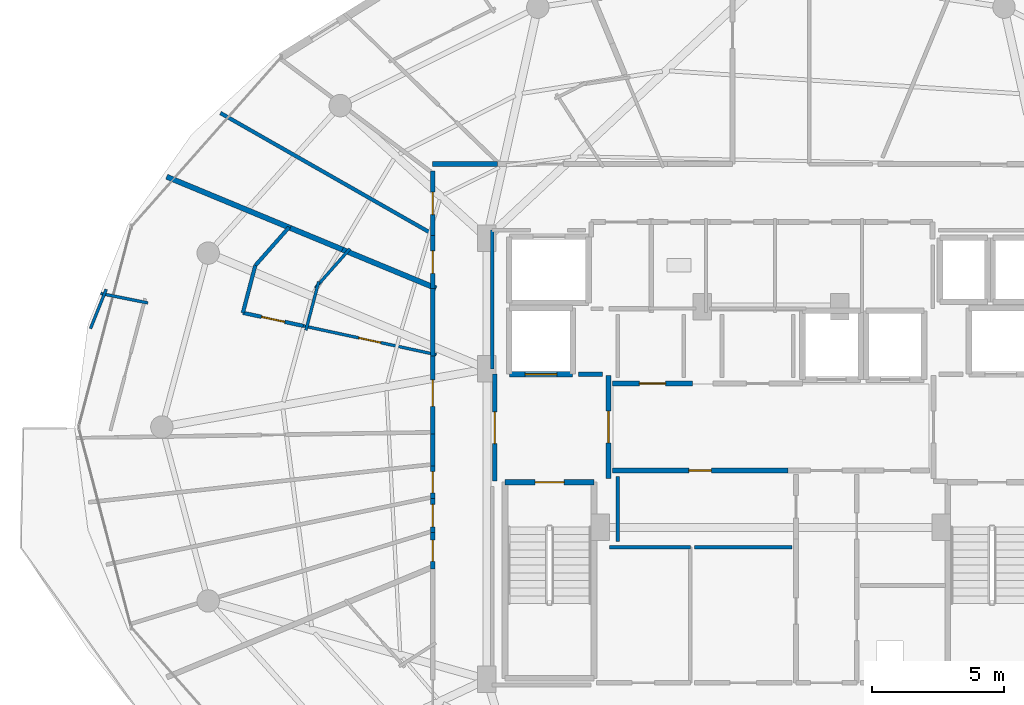
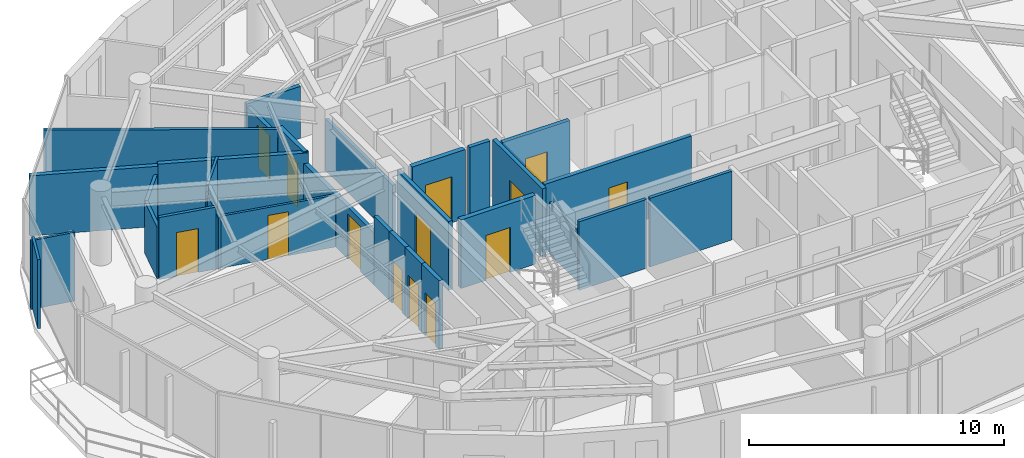
# One storey, part 24 of 31: 32 walls, 14 doors, 14 openings.
"""IFC4 building model written with IfcOpenShell, lengths in metres."""

from ifc_helpers import new_model, si_unit, direction, frame, frame_2d, origin, place, context, subcontext, project, spatial, rectangle, extrude, material, layer, layer_set, type_object, element, fill, save


model = new_model("IFC4")

# Units and contexts
model_context = context("Model", 3, precision=1e-05, world=origin(), true_north=direction((0.0, 1.0)))
body_context = subcontext(model_context, "Body", "Model", "MODEL_VIEW")
ifc_project = project(units=[si_unit("LENGTHUNIT", "METRE"), si_unit("AREAUNIT", "SQUARE_METRE"), si_unit("VOLUMEUNIT", "CUBIC_METRE"), si_unit("PLANEANGLEUNIT", "RADIAN"), si_unit("MASSUNIT", "GRAM", prefix="KILO")], contexts=[model_context])

# Site, building, storey
site_placement = place(None, origin())
site = spatial("IfcSite", under=ifc_project, at=site_placement, CompositionType="ELEMENT")
building_placement = place(site_placement, origin())
building = spatial("IfcBuilding", under=site, at=building_placement, Name="Vorneva Point Tower", CompositionType="ELEMENT")
storey_placement = place(building_placement, frame((0.0, 0.0, 244.89990234375)))
storey = spatial("IfcBuildingStorey", under=building, at=storey_placement, Name="L66", CompositionType="ELEMENT", Elevation=244.89990234375)

# Wall, opening, door
ifc_material_1 = material(Name="Concrete B60 (C50/60)", Category="concrete")
ifc_layer_1 = layer(ifc_material_1, 0.35009765625)
ifc_layer_set_1 = layer_set([ifc_layer_1], Name="Concrete B60 (C50/60)")
wall_type_1 = type_object("IfcWallType", Name="WL-CORE-350", PredefinedType="SHEAR", material=ifc_layer_set_1)
wall_1_placement = place(storey_placement, frame((28.10009765625, 28.0, 0.0), z_axis=(0.0, 0.0, 1.0), x_axis=(1.0, 0.0, 0.0)))
wall_1 = element("IfcWall", 1, at=wall_1_placement, inside=storey, type_object=wall_type_1, Name="L66 Lift FFL1 Shaft Wall -Y", PredefinedType="SHEAR", context=body_context, shape_type="SweptSolid", body=[
    extrude(rectangle(XDim=2.39990234375, YDim=0.219970703125, at=frame_2d((1.199951171875, 0.0))), origin(), (0.0, 0.0, 1.0), 3.2900390625),
])
opening_1_placement = place(wall_1_placement, frame((0.60009765625, 0.0, 0.0)))
opening_1 = element("IfcOpeningElement", 2, at=opening_1_placement, cuts=wall_1, Name="Opening LD-02", PredefinedType="OPENING", context=body_context, shape_type="SweptSolid", body=[
    extrude(rectangle(XDim=1.199951171875, YDim=2.199951171875, at=frame_2d((0.60009765625, 1.10009765625))), frame((0.0, 0.125, 0.0), z_axis=(0.0, -1.0, 0.0), x_axis=(1.0, 0.0, 0.0)), (0.0, 0.0, 1.0), 0.249755859375),
])
ifc_material_2 = material(Name="Brushed stainless steel S304", Category="steel")
door_type_1 = type_object("IfcDoorType", Name="LD-FIRE-1200", OperationType="SLIDING_TO_LEFT", PredefinedType="DOOR", material=ifc_material_2)
door_1_placement = place(opening_1_placement, origin())
door_1 = element("IfcDoor", 3, at=door_1_placement, inside=storey, type_object=door_type_1, Name="L66 Lift FFL1 Sliding Landing Door", OperationType="SLIDING_TO_LEFT", OverallHeight=2.199951171875, OverallWidth=1.199951171875, PredefinedType="DOOR", context=body_context, shape_type="SweptSolid", body=[
    extrude(rectangle(XDim=1.199951171875, YDim=2.199951171875, at=frame_2d((0.60009765625, 1.10009765625))), frame((0.0, 0.02490234375, 0.0), z_axis=(0.0, -1.0, 0.0), x_axis=(1.0, 0.0, 0.0)), (0.0, 0.0, 1.0), 0.050048828125),
])
fill(opening_1, door_1)

ifc_material_3 = material(Name="Fire-rated acoustic gypsum stud partition", Category="gypsum")
ifc_layer_2 = layer(ifc_material_3, 0.110107421875)
ifc_layer_set_2 = layer_set([ifc_layer_2], Name="Fire-rated acoustic gypsum stud partition")
wall_type_2 = type_object("IfcWallType", Name="WL-PART-110", PredefinedType="PARTITIONING", material=ifc_layer_set_2)
wall_2_placement = place(storey_placement, frame((25.3369140625, 28.73828125, 0.0), z_axis=(0.0, 0.0, 1.0), x_axis=(-0.977382932841, 0.211477191656, 0.0)))
wall_2 = element("IfcWall", 4, at=wall_2_placement, inside=storey, type_object=wall_type_2, Name="L66 Interior Partition 086", PredefinedType="PARTITIONING", context=body_context, shape_type="SweptSolid", body=[
    extrude(rectangle(XDim=5.151123046875, YDim=0.110107421875, at=frame_2d((2.57568359375, 0.0))), origin(), (0.0, 0.0, 1.0), 2.482177734375),
])
opening_2_placement = place(wall_2_placement, frame((2.150390625, 0.0, 0.0)))
opening_2 = element("IfcOpeningElement", 5, at=opening_2_placement, cuts=wall_2, Name="Opening ID-02", PredefinedType="OPENING", context=body_context, shape_type="SweptSolid", body=[
    extrude(rectangle(XDim=0.85009765625, YDim=2.10009765625, at=frame_2d((0.425048828125, 1.050048828125))), frame((0.0, 0.06982421875, 0.0), z_axis=(0.0, -1.0, 0.0), x_axis=(1.0, 0.0, 0.0)), (0.0, 0.0, 1.0), 0.139892578125),
])
ifc_material_4 = material(Name="Engineered oak fire-rated door leaf", Category="wood")
door_type_2 = type_object("IfcDoorType", Name="DR-BATH-850", OperationType="NOTDEFINED", PredefinedType="DOOR", material=ifc_material_4)
door_2_placement = place(opening_2_placement, origin())
door_2 = element("IfcDoor", 6, at=door_2_placement, inside=storey, type_object=door_type_2, Name="L66 Door Living and Dining Room L66-02 / Bathroom L66-02", OperationType="SINGLE_SWING_RIGHT", OverallHeight=2.10009765625, OverallWidth=0.85009765625, PredefinedType="DOOR", context=body_context, shape_type="SweptSolid", body=[
    extrude(rectangle(XDim=0.85009765625, YDim=2.10009765625, at=frame_2d((0.425048828125, 1.050048828125))), frame((0.0, 0.02490234375, 0.0), z_axis=(0.0, -1.0, 0.0), x_axis=(1.0, 0.0, 0.0)), (0.0, 0.0, 1.0), 0.050048828125),
])
fill(opening_2, door_2)

# Walls
wall_3_placement = place(storey_placement, frame((12.845947265625, 31.212890625, 0.0), z_axis=(0.0, 0.0, 1.0), x_axis=(-0.371522095559, -0.928424112414, 0.0)))
element("IfcWall", 7, at=wall_3_placement, inside=storey, type_object=wall_type_2, Name="L66 Interior Partition 087", PredefinedType="PARTITIONING", context=body_context, shape_type="SweptSolid", body=[
    extrude(rectangle(XDim=1.6015625, YDim=0.110107421875, at=frame_2d((0.80078125, 0.0))), origin(), (0.0, 0.0, 1.0), 3.2900390625),
])
wall_4_placement = place(storey_placement, frame((12.634765625, 31.053466796875, 0.0), z_axis=(0.0, 0.0, 1.0), x_axis=(0.980704252003, -0.195497238094, 0.0)))
element("IfcWall", 8, at=wall_4_placement, inside=storey, type_object=wall_type_2, Name="L66 Interior Partition 088", PredefinedType="PARTITIONING", context=body_context, shape_type="SweptSolid", body=[
    extrude(rectangle(XDim=1.82080078125, YDim=0.110107421875, at=frame_2d((0.910400390625, 0.0))), origin(), (0.0, 0.0, 1.0), 3.2900390625),
])
wall_5_placement = place(storey_placement, frame((22.065673828125, 32.743896484375, 0.0), z_axis=(0.0, 0.0, 1.0), x_axis=(-0.662047420969, -0.749461948593, 0.0)))
element("IfcWall", 9, at=wall_5_placement, inside=storey, type_object=wall_type_2, Name="L66 Interior Partition 094", PredefinedType="PARTITIONING", context=body_context, shape_type="SweptSolid", body=[
    extrude(rectangle(XDim=1.9716796875, YDim=0.110107421875, at=frame_2d((0.98583984375, 0.0))), origin(), (0.0, 0.0, 1.0), 2.97216796875),
])
wall_6_placement = place(storey_placement, frame((20.888671875, 31.50634765625, 0.0), z_axis=(0.0, 0.0, 1.0), x_axis=(-0.254568935897, -0.967054629727, 0.0)))
element("IfcWall", 10, at=wall_6_placement, inside=storey, type_object=wall_type_2, Name="L66 Interior Partition 095", PredefinedType="PARTITIONING", context=body_context, shape_type="SweptSolid", body=[
    extrude(rectangle(XDim=1.906494140625, YDim=0.110107421875, at=frame_2d((0.953125, 0.0))), origin(), (0.0, 0.0, 1.0), 2.482177734375),
])
ifc_layer_3 = layer(ifc_material_3, 0.139892578125)
ifc_layer_set_3 = layer_set([ifc_layer_3], Name="Fire-rated acoustic gypsum stud partition")
wall_type_3 = type_object("IfcWallType", Name="WL-PART-140", PredefinedType="PARTITIONING", material=ifc_layer_set_3)
wall_7_placement = place(storey_placement, frame((34.949951171875, 21.449951171875, 0.0), z_axis=(0.0, 0.0, 1.0), x_axis=(-1.0, 0.0, 0.0)))
element("IfcWall", 11, at=wall_7_placement, inside=storey, type_object=wall_type_3, Name="L66 Interior Partition 034", PredefinedType="PARTITIONING", context=body_context, shape_type="SweptSolid", body=[
    extrude(rectangle(XDim=3.054931640625, YDim=0.139892578125, at=frame_2d((1.52734375, 0.0))), origin(), (0.0, 0.0, 1.0), 3.2900390625),
])
wall_8_placement = place(storey_placement, frame((38.800048828125, 21.449951171875, 0.0), z_axis=(0.0, 0.0, 1.0), x_axis=(-1.0, 0.0, 0.0)))
element("IfcWall", 12, at=wall_8_placement, inside=storey, type_object=wall_type_3, Name="L66 Interior Partition 036", PredefinedType="PARTITIONING", context=body_context, shape_type="SweptSolid", body=[
    extrude(rectangle(XDim=3.699951171875, YDim=0.139892578125, at=frame_2d((1.85009765625, 0.0))), origin(), (0.0, 0.0, 1.0), 3.2900390625),
])
wall_9_placement = place(storey_placement, frame((17.169921875, 37.881103515625, 0.0), z_axis=(0.0, 0.0, 1.0), x_axis=(0.868639415668, -0.495444815844, 0.0)))
element("IfcWall", 13, at=wall_9_placement, inside=storey, type_object=wall_type_3, Name="L66 Interior Partition 082", PredefinedType="PARTITIONING", context=body_context, shape_type="SweptSolid", body=[
    extrude(rectangle(XDim=9.244384765625, YDim=0.139892578125, at=frame_2d((4.6220703125, 0.0))), origin(), (0.0, 0.0, 1.0), 2.8740234375),
])

# Wall, opening, door
wall_10_placement = place(storey_placement, frame((20.30224609375, 29.82763671875, 0.0), z_axis=(0.0, 0.0, 1.0), x_axis=(-0.977387924942, 0.211454118377, 0.0)))
wall_10 = element("IfcWall", 14, at=wall_10_placement, inside=storey, type_object=wall_type_3, Name="L66 Interior Partition 090", PredefinedType="PARTITIONING", context=body_context, shape_type="SweptSolid", body=[
    extrude(rectangle(XDim=2.338134765625, YDim=0.139892578125, at=frame_2d((1.1689453125, 0.0))), origin(), (0.0, 0.0, 1.0), 2.97216796875),
])
opening_3_placement = place(wall_10_placement, frame((0.718994140625, 0.0, 0.0)))
opening_3 = element("IfcOpeningElement", 15, at=opening_3_placement, cuts=wall_10, Name="Opening ID-01", PredefinedType="OPENING", context=body_context, shape_type="SweptSolid", body=[
    extrude(rectangle(XDim=0.89990234375, YDim=2.10009765625, at=frame_2d((0.449951171875, 1.050048828125))), frame((0.0, 0.0849609375, 0.0), z_axis=(0.0, -1.0, 0.0), x_axis=(1.0, 0.0, 0.0)), (0.0, 0.0, 1.0), 0.169677734375),
])
door_type_3 = type_object("IfcDoorType", Name="DR-ROOM-900", OperationType="NOTDEFINED", PredefinedType="DOOR", material=ifc_material_4)
door_3_placement = place(opening_3_placement, origin())
door_3 = element("IfcDoor", 16, at=door_3_placement, inside=storey, type_object=door_type_3, Name="L66 Door Living and Dining Room L66-02 / Study Room L66-02", OperationType="SINGLE_SWING_RIGHT", OverallHeight=2.10009765625, OverallWidth=0.89990234375, PredefinedType="DOOR", context=body_context, shape_type="SweptSolid", body=[
    extrude(rectangle(XDim=0.89990234375, YDim=2.10009765625, at=frame_2d((0.449951171875, 1.050048828125))), frame((0.0, 0.02490234375, 0.0), z_axis=(0.0, -1.0, 0.0), x_axis=(1.0, 0.0, 0.0)), (0.0, 0.0, 1.0), 0.050048828125),
])
fill(opening_3, door_3)

# Walls
wall_11_placement = place(storey_placement, frame((18.01708984375, 30.322021484375, 0.0), z_axis=(0.0, 0.0, 1.0), x_axis=(0.254434866485, 0.967089912426, 0.0)))
element("IfcWall", 17, at=wall_11_placement, inside=storey, type_object=wall_type_3, Name="L66 Interior Partition 091", PredefinedType="PARTITIONING", context=body_context, shape_type="SweptSolid", body=[
    extrude(rectangle(XDim=1.85107421875, YDim=0.139892578125, at=frame_2d((0.925537109375, 0.0))), origin(), (0.0, 0.0, 1.0), 2.482177734375),
])
wall_12_placement = place(storey_placement, frame((18.488037109375, 32.112060546875, 0.0), z_axis=(0.0, 0.0, 1.0), x_axis=(0.661856531983, 0.749630529709, 0.0)))
element("IfcWall", 18, at=wall_12_placement, inside=storey, type_object=wall_type_3, Name="L66 Interior Partition 092", PredefinedType="PARTITIONING", context=body_context, shape_type="SweptSolid", body=[
    extrude(rectangle(XDim=1.9248046875, YDim=0.139892578125, at=frame_2d((0.96240234375, 0.0))), origin(), (0.0, 0.0, 1.0), 2.482177734375),
])
wall_13_placement = place(storey_placement, frame((32.199951171875, 24.1298828125, 0.0), z_axis=(0.0, 0.0, 1.0), x_axis=(0.0, -1.0, 0.0)))
element("IfcWall", 19, at=wall_13_placement, inside=storey, type_object=wall_type_3, Name="L66 Interior Closure Partition 136", PredefinedType="PARTITIONING", context=body_context, shape_type="SweptSolid", body=[
    extrude(rectangle(XDim=2.4599609375, YDim=0.139892578125, at=frame_2d((1.22998046875, 0.0))), origin(), (0.0, 0.0, 1.0), 2.482177734375),
])
wall_14_placement = place(storey_placement, frame((27.449951171875, 33.449951171875, 0.0), z_axis=(0.0, 0.0, 1.0), x_axis=(0.0, -1.0, 0.0)))
element("IfcWall", 20, at=wall_14_placement, inside=storey, type_object=wall_type_3, Name="L66 Interior Closure Partition 147", PredefinedType="PARTITIONING", context=body_context, shape_type="SweptSolid", body=[
    extrude(rectangle(XDim=5.25390625, YDim=0.139892578125, at=frame_2d((2.626953125, 0.0))), origin(), (0.0, 0.0, 1.0), 2.482177734375),
])

# Wall, opening, door
ifc_material_5 = material(Name="Autoclaved aerated concrete blockwork", Category="masonry")
ifc_layer_4 = layer(ifc_material_5, 0.179931640625)
ifc_layer_set_4 = layer_set([ifc_layer_4], Name="Autoclaved aerated concrete blockwork")
wall_type_4 = type_object("IfcWallType", Name="WL-PART-180", PredefinedType="PARTITIONING", material=ifc_layer_set_4)
wall_15_placement = place(storey_placement, frame((31.85009765625, 24.044921875, 0.0), z_axis=(0.0, 0.0, 1.0), x_axis=(0.0, 1.0, 0.0)))
wall_15 = element("IfcWall", 21, at=wall_15_placement, inside=storey, type_object=wall_type_4, Name="L66 Interior Partition 001", PredefinedType="PARTITIONING", context=body_context, shape_type="SweptSolid", body=[
    extrude(rectangle(XDim=3.91015625, YDim=0.179931640625, at=frame_2d((1.955078125, 0.0))), origin(), (0.0, 0.0, 1.0), 3.2900390625),
])
opening_4_placement = place(wall_15_placement, frame((1.35498046875, 0.0, 0.0)))
opening_4 = element("IfcOpeningElement", 22, at=opening_4_placement, cuts=wall_15, Name="Opening FD-02", PredefinedType="OPENING", context=body_context, shape_type="SweptSolid", body=[
    extrude(rectangle(XDim=1.199951171875, YDim=2.14990234375, at=frame_2d((0.60009765625, 1.074951171875))), frame((0.0, 0.10498046875, 0.0), z_axis=(0.0, -1.0, 0.0), x_axis=(1.0, 0.0, 0.0)), (0.0, 0.0, 1.0), 0.209716796875),
])
ifc_material_6 = material(Name="Fire-rated powder-coated steel", Category="steel")
door_type_4 = type_object("IfcDoorType", Name="DR-FFL-1200", OperationType="NOTDEFINED", PredefinedType="DOOR", material=ifc_material_6)
door_4_placement = place(opening_4_placement, origin())
door_4 = element("IfcDoor", 23, at=door_4_placement, inside=storey, type_object=door_type_4, Name="L66 Door West Firefighting Lobby / Central Lift Lobby", OperationType="SINGLE_SWING_LEFT", OverallHeight=2.14990234375, OverallWidth=1.199951171875, PredefinedType="DOOR", context=body_context, shape_type="SweptSolid", body=[
    extrude(rectangle(XDim=1.199951171875, YDim=2.14990234375, at=frame_2d((0.60009765625, 1.074951171875))), frame((0.0, 0.02490234375, 0.0), z_axis=(0.0, -1.0, 0.0), x_axis=(1.0, 0.0, 0.0)), (0.0, 0.0, 1.0), 0.050048828125),
])
fill(opening_4, door_4)

wall_16_placement = place(storey_placement, frame((27.550048828125, 28.0, 0.0), z_axis=(0.0, 0.0, 1.0), x_axis=(0.0, -1.0, 0.0)))
wall_16 = element("IfcWall", 24, at=wall_16_placement, inside=storey, type_object=wall_type_4, Name="L66 Interior Partition 002", PredefinedType="PARTITIONING", context=body_context, shape_type="SweptSolid", body=[
    extrude(rectangle(XDim=4.050048828125, YDim=0.179931640625, at=frame_2d((2.02490234375, 0.0))), origin(), (0.0, 0.0, 1.0), 3.2900390625),
])
opening_5_placement = place(wall_16_placement, frame((1.425048828125, 0.0, 0.0)))
opening_5 = element("IfcOpeningElement", 25, at=opening_5_placement, cuts=wall_16, Name="Opening FD-02", PredefinedType="OPENING", context=body_context, shape_type="SweptSolid", body=[
    extrude(rectangle(XDim=1.199951171875, YDim=2.14990234375, at=frame_2d((0.60009765625, 1.074951171875))), frame((0.0, 0.10498046875, 0.0), z_axis=(0.0, -1.0, 0.0), x_axis=(1.0, 0.0, 0.0)), (0.0, 0.0, 1.0), 0.209716796875),
])
door_5_placement = place(opening_5_placement, origin())
door_5 = element("IfcDoor", 26, at=door_5_placement, inside=storey, type_object=door_type_4, Name="L66 Door West Firefighting Lobby / L66 Circulation Corridor", OperationType="SINGLE_SWING_RIGHT", OverallHeight=2.14990234375, OverallWidth=1.199951171875, PredefinedType="DOOR", context=body_context, shape_type="SweptSolid", body=[
    extrude(rectangle(XDim=1.199951171875, YDim=2.14990234375, at=frame_2d((0.60009765625, 1.074951171875))), frame((0.0, 0.02490234375, 0.0), z_axis=(0.0, -1.0, 0.0), x_axis=(1.0, 0.0, 0.0)), (0.0, 0.0, 1.0), 0.050048828125),
])
fill(opening_5, door_5)

wall_17_placement = place(storey_placement, frame((35.0400390625, 27.64990234375, 0.0), z_axis=(0.0, 0.0, 1.0), x_axis=(-1.0, 0.0, 0.0)))
wall_17 = element("IfcWall", 27, at=wall_17_placement, inside=storey, type_object=wall_type_4, Name="L66 Interior Partition 012", PredefinedType="PARTITIONING", context=body_context, shape_type="SweptSolid", body=[
    extrude(rectangle(XDim=3.0400390625, YDim=0.179931640625, at=frame_2d((1.52001953125, 0.0))), origin(), (0.0, 0.0, 1.0), 3.2900390625),
])
opening_6_placement = place(wall_17_placement, frame((1.02001953125, 0.0, 0.0)))
opening_6 = element("IfcOpeningElement", 28, at=opening_6_placement, cuts=wall_17, Name="Opening UD-01", PredefinedType="OPENING", context=body_context, shape_type="SweptSolid", body=[
    extrude(rectangle(XDim=1.0, YDim=2.14990234375, at=frame_2d((0.5, 1.074951171875))), frame((0.0, 0.10498046875, 0.0), z_axis=(0.0, -1.0, 0.0), x_axis=(1.0, 0.0, 0.0)), (0.0, 0.0, 1.0), 0.209716796875),
])
door_type_5 = type_object("IfcDoorType", Name="DR-UNIT-1000", OperationType="NOTDEFINED", PredefinedType="DOOR", material=ifc_material_4)
door_6_placement = place(opening_6_placement, origin())
door_6 = element("IfcDoor", 29, at=door_6_placement, inside=storey, type_object=door_type_5, Name="L66 Door Central Lift Lobby / Reclaimed Core Lounge", OperationType="SINGLE_SWING_RIGHT", OverallHeight=2.14990234375, OverallWidth=1.0, PredefinedType="DOOR", context=body_context, shape_type="SweptSolid", body=[
    extrude(rectangle(XDim=1.0, YDim=2.14990234375, at=frame_2d((0.5, 1.074951171875))), frame((0.0, 0.02490234375, 0.0), z_axis=(0.0, -1.0, 0.0), x_axis=(1.0, 0.0, 0.0)), (0.0, 0.0, 1.0), 0.050048828125),
])
fill(opening_6, door_6)

wall_18_placement = place(storey_placement, frame((32.0, 24.35009765625, 0.0), z_axis=(0.0, 0.0, 1.0), x_axis=(1.0, 0.0, 0.0)))
wall_18 = element("IfcWall", 30, at=wall_18_placement, inside=storey, type_object=wall_type_4, Name="L66 Interior Partition 014", PredefinedType="PARTITIONING", context=body_context, shape_type="SweptSolid", body=[
    extrude(rectangle(XDim=6.64501953125, YDim=0.179931640625, at=frame_2d((3.322509765625, 0.0))), origin(), (0.0, 0.0, 1.0), 3.2900390625),
])
opening_7_placement = place(wall_18_placement, frame((2.8974609375, 0.0, 0.0)))
opening_7 = element("IfcOpeningElement", 31, at=opening_7_placement, cuts=wall_18, Name="Opening ID-02", PredefinedType="OPENING", context=body_context, shape_type="SweptSolid", body=[
    extrude(rectangle(XDim=0.85009765625, YDim=2.10009765625, at=frame_2d((0.425048828125, 1.050048828125))), frame((0.0, 0.10498046875, 0.0), z_axis=(0.0, -1.0, 0.0), x_axis=(1.0, 0.0, 0.0)), (0.0, 0.0, 1.0), 0.209716796875),
])
door_7_placement = place(opening_7_placement, origin())
door_7 = element("IfcDoor", 32, at=door_7_placement, inside=storey, type_object=door_type_2, Name="L66 Door Central Lift Lobby / Reclaimed High-Zone Wine Vault", OperationType="SINGLE_SWING_RIGHT", OverallHeight=2.10009765625, OverallWidth=0.85009765625, PredefinedType="DOOR", context=body_context, shape_type="SweptSolid", body=[
    extrude(rectangle(XDim=0.85009765625, YDim=2.10009765625, at=frame_2d((0.425048828125, 1.050048828125))), frame((0.0, 0.02490234375, 0.0), z_axis=(0.0, -1.0, 0.0), x_axis=(1.0, 0.0, 0.0)), (0.0, 0.0, 1.0), 0.050048828125),
])
fill(opening_7, door_7)

# Wall
wall_19_placement = place(storey_placement, frame((27.64599609375, 35.949951171875, 0.0), z_axis=(0.0, 0.0, 1.0), x_axis=(-1.0, 0.0, 0.0)))
element("IfcWall", 33, at=wall_19_placement, inside=storey, type_object=wall_type_4, Name="L66 Interior Partition 040", PredefinedType="PARTITIONING", context=body_context, shape_type="SweptSolid", body=[
    extrude(rectangle(XDim=2.446044921875, YDim=0.179931640625, at=frame_2d((1.22314453125, 0.0))), origin(), (0.0, 0.0, 1.0), 2.482177734375),
])

# Wall, opening, door
wall_20_placement = place(storey_placement, frame((25.199951171875, 35.68603515625, 0.0), z_axis=(0.0, 0.0, 1.0), x_axis=(0.0, -1.0, 0.0)))
wall_20 = element("IfcWall", 34, at=wall_20_placement, inside=storey, type_object=wall_type_4, Name="L66 Interior Partition 041", PredefinedType="PARTITIONING", context=body_context, shape_type="SweptSolid", body=[
    extrude(rectangle(XDim=2.445068359375, YDim=0.179931640625, at=frame_2d((1.22265625, 0.0))), origin(), (0.0, 0.0, 1.0), 2.482177734375),
])
opening_8_placement = place(wall_20_placement, frame((0.797607421875, 0.0, 0.0)))
opening_8 = element("IfcOpeningElement", 35, at=opening_8_placement, cuts=wall_20, Name="Opening ID-02", PredefinedType="OPENING", context=body_context, shape_type="SweptSolid", body=[
    extrude(rectangle(XDim=0.85009765625, YDim=2.10009765625, at=frame_2d((0.425048828125, 1.050048828125))), frame((0.0, 0.10498046875, 0.0), z_axis=(0.0, -1.0, 0.0), x_axis=(1.0, 0.0, 0.0)), (0.0, 0.0, 1.0), 0.209716796875),
])
door_8_placement = place(opening_8_placement, origin())
door_8 = element("IfcDoor", 36, at=door_8_placement, inside=storey, type_object=door_type_2, Name="L66 Access Door L66 Circulation Corridor", OperationType="SINGLE_SWING_LEFT", OverallHeight=2.10009765625, OverallWidth=0.85009765625, PredefinedType="DOOR", context=body_context, shape_type="SweptSolid", body=[
    extrude(rectangle(XDim=0.85009765625, YDim=2.10009765625, at=frame_2d((0.425048828125, 1.050048828125))), frame((0.0, 0.02490234375, 0.0), z_axis=(0.0, -1.0, 0.0), x_axis=(1.0, 0.0, 0.0)), (0.0, 0.0, 1.0), 0.050048828125),
])
fill(opening_8, door_8)

wall_21_placement = place(storey_placement, frame((25.199951171875, 33.240966796875, 0.0), z_axis=(0.0, 0.0, 1.0), x_axis=(0.0, -1.0, 0.0)))
wall_21 = element("IfcWall", 37, at=wall_21_placement, inside=storey, type_object=wall_type_4, Name="L66 Interior Partition 042", PredefinedType="PARTITIONING", context=body_context, shape_type="SweptSolid", body=[
    extrude(rectangle(XDim=1.9990234375, YDim=0.179931640625, at=frame_2d((0.99951171875, 0.0))), origin(), (0.0, 0.0, 1.0), 3.022216796875),
])
opening_9_placement = place(wall_21_placement, frame((0.574462890625, 0.0, 0.0)))
opening_9 = element("IfcOpeningElement", 38, at=opening_9_placement, cuts=wall_21, Name="Opening ID-02", PredefinedType="OPENING", context=body_context, shape_type="SweptSolid", body=[
    extrude(rectangle(XDim=0.85009765625, YDim=2.10009765625, at=frame_2d((0.425048828125, 1.050048828125))), frame((0.0, 0.10498046875, 0.0), z_axis=(0.0, -1.0, 0.0), x_axis=(1.0, 0.0, 0.0)), (0.0, 0.0, 1.0), 0.209716796875),
])
door_9_placement = place(opening_9_placement, origin())
door_9 = element("IfcDoor", 39, at=door_9_placement, inside=storey, type_object=door_type_2, Name="L66 Access Door L66 Circulation Corridor", OperationType="SINGLE_SWING_RIGHT", OverallHeight=2.10009765625, OverallWidth=0.85009765625, PredefinedType="DOOR", context=body_context, shape_type="SweptSolid", body=[
    extrude(rectangle(XDim=0.85009765625, YDim=2.10009765625, at=frame_2d((0.425048828125, 1.050048828125))), frame((0.0, 0.02490234375, 0.0), z_axis=(0.0, -1.0, 0.0), x_axis=(1.0, 0.0, 0.0)), (0.0, 0.0, 1.0), 0.050048828125),
])
fill(opening_9, door_9)

wall_22_placement = place(storey_placement, frame((25.199951171875, 28.8291015625, 0.0), z_axis=(0.0, 0.0, 1.0), x_axis=(0.0, -1.0, 0.0)))
wall_22 = element("IfcWall", 40, at=wall_22_placement, inside=storey, type_object=wall_type_4, Name="L66 Interior Partition 043", PredefinedType="PARTITIONING", context=body_context, shape_type="SweptSolid", body=[
    extrude(rectangle(XDim=3.090087890625, YDim=0.179931640625, at=frame_2d((1.544921875, 0.0))), origin(), (0.0, 0.0, 1.0), 2.482177734375),
])
opening_10_placement = place(wall_22_placement, frame((1.044921875, 0.0, 0.0)))
opening_10 = element("IfcOpeningElement", 41, at=opening_10_placement, cuts=wall_22, Name="Opening UD-01", PredefinedType="OPENING", context=body_context, shape_type="SweptSolid", body=[
    extrude(rectangle(XDim=1.0, YDim=2.14990234375, at=frame_2d((0.5, 1.074951171875))), frame((0.0, 0.10498046875, 0.0), z_axis=(0.0, -1.0, 0.0), x_axis=(1.0, 0.0, 0.0)), (0.0, 0.0, 1.0), 0.209716796875),
])
door_10_placement = place(opening_10_placement, origin())
door_10 = element("IfcDoor", 42, at=door_10_placement, inside=storey, type_object=door_type_5, Name="L66 Door L66 Circulation Corridor / Living and Dining Room L66-02", OperationType="SINGLE_SWING_RIGHT", OverallHeight=2.14990234375, OverallWidth=1.0, PredefinedType="DOOR", context=body_context, shape_type="SweptSolid", body=[
    extrude(rectangle(XDim=1.0, YDim=2.14990234375, at=frame_2d((0.5, 1.074951171875))), frame((0.0, 0.02490234375, 0.0), z_axis=(0.0, -1.0, 0.0), x_axis=(1.0, 0.0, 0.0)), (0.0, 0.0, 1.0), 0.050048828125),
])
fill(opening_10, door_10)

# Walls
wall_23_placement = place(storey_placement, frame((25.199951171875, 31.382080078125, 0.0), z_axis=(0.0, 0.0, 1.0), x_axis=(0.0, -1.0, 0.0)))
element("IfcWall", 43, at=wall_23_placement, inside=storey, type_object=wall_type_4, Name="L66 Interior Partition 044", PredefinedType="PARTITIONING", context=body_context, shape_type="SweptSolid", body=[
    extrude(rectangle(XDim=2.693115234375, YDim=0.179931640625, at=frame_2d((1.3466796875, 0.0))), origin(), (0.0, 0.0, 1.0), 2.482177734375),
])
wall_24_placement = place(storey_placement, frame((25.199951171875, 25.739013671875, 0.0), z_axis=(0.0, 0.0, 1.0), x_axis=(0.0, -1.0, 0.0)))
element("IfcWall", 44, at=wall_24_placement, inside=storey, type_object=wall_type_4, Name="L66 Interior Partition 045", PredefinedType="PARTITIONING", context=body_context, shape_type="SweptSolid", body=[
    extrude(rectangle(XDim=1.2119140625, YDim=0.179931640625, at=frame_2d((0.60595703125, 0.0))), origin(), (0.0, 0.0, 1.0), 3.2900390625),
])

# Wall, opening, door
wall_25_placement = place(storey_placement, frame((25.199951171875, 24.527099609375, 0.0), z_axis=(0.0, 0.0, 1.0), x_axis=(0.0, -1.0, 0.0)))
wall_25 = element("IfcWall", 45, at=wall_25_placement, inside=storey, type_object=wall_type_4, Name="L66 Interior Partition 046", PredefinedType="PARTITIONING", context=body_context, shape_type="SweptSolid", body=[
    extrude(rectangle(XDim=1.239013671875, YDim=0.179931640625, at=frame_2d((0.61962890625, 0.0))), origin(), (0.0, 0.0, 1.0), 3.2900390625),
])
opening_11_placement = place(wall_25_placement, frame((0.219482421875, 0.0, 0.0)))
opening_11 = element("IfcOpeningElement", 46, at=opening_11_placement, cuts=wall_25, Name="Opening RD-01", PredefinedType="OPENING", context=body_context, shape_type="SweptSolid", body=[
    extrude(rectangle(XDim=0.800048828125, YDim=2.050048828125, at=frame_2d((0.39990234375, 1.02490234375))), frame((0.0, 0.10498046875, 0.0), z_axis=(0.0, -1.0, 0.0), x_axis=(1.0, 0.0, 0.0)), (0.0, 0.0, 1.0), 0.209716796875),
])
door_type_6 = type_object("IfcDoorType", Name="DR-RSR-800", OperationType="SINGLE_SWING_LEFT", PredefinedType="DOOR", material=ifc_material_6)
door_11_placement = place(opening_11_placement, origin())
door_11 = element("IfcDoor", 47, at=door_11_placement, inside=storey, type_object=door_type_6, Name="L66 Access Door L66 Circulation Corridor", OperationType="SINGLE_SWING_RIGHT", OverallHeight=2.050048828125, OverallWidth=0.800048828125, PredefinedType="DOOR", context=body_context, shape_type="SweptSolid", body=[
    extrude(rectangle(XDim=0.800048828125, YDim=2.050048828125, at=frame_2d((0.39990234375, 1.02490234375))), frame((0.0, 0.02490234375, 0.0), z_axis=(0.0, -1.0, 0.0), x_axis=(1.0, 0.0, 0.0)), (0.0, 0.0, 1.0), 0.050048828125),
])
fill(opening_11, door_11)

wall_26_placement = place(storey_placement, frame((25.199951171875, 23.2880859375, 0.0), z_axis=(0.0, 0.0, 1.0), x_axis=(0.0, -1.0, 0.0)))
wall_26 = element("IfcWall", 48, at=wall_26_placement, inside=storey, type_object=wall_type_4, Name="L66 Interior Partition 047", PredefinedType="PARTITIONING", context=body_context, shape_type="SweptSolid", body=[
    extrude(rectangle(XDim=1.2890625, YDim=0.179931640625, at=frame_2d((0.64453125, 0.0))), origin(), (0.0, 0.0, 1.0), 3.2900390625),
])
opening_12_placement = place(wall_26_placement, frame((0.219482421875, 0.0, 0.0)))
opening_12 = element("IfcOpeningElement", 49, at=opening_12_placement, cuts=wall_26, Name="Opening ID-02", PredefinedType="OPENING", context=body_context, shape_type="SweptSolid", body=[
    extrude(rectangle(XDim=0.85009765625, YDim=2.10009765625, at=frame_2d((0.425048828125, 1.050048828125))), frame((0.0, 0.10498046875, 0.0), z_axis=(0.0, -1.0, 0.0), x_axis=(1.0, 0.0, 0.0)), (0.0, 0.0, 1.0), 0.209716796875),
])
door_12_placement = place(opening_12_placement, origin())
door_12 = element("IfcDoor", 50, at=door_12_placement, inside=storey, type_object=door_type_2, Name="L66 Access Door L66 Circulation Corridor", OperationType="SINGLE_SWING_LEFT", OverallHeight=2.10009765625, OverallWidth=0.85009765625, PredefinedType="DOOR", context=body_context, shape_type="SweptSolid", body=[
    extrude(rectangle(XDim=0.85009765625, YDim=2.10009765625, at=frame_2d((0.425048828125, 1.050048828125))), frame((0.0, 0.02490234375, 0.0), z_axis=(0.0, -1.0, 0.0), x_axis=(1.0, 0.0, 0.0)), (0.0, 0.0, 1.0), 0.050048828125),
])
fill(opening_12, door_12)

wall_27_placement = place(storey_placement, frame((25.199951171875, 21.9990234375, 0.0), z_axis=(0.0, 0.0, 1.0), x_axis=(0.0, -1.0, 0.0)))
wall_27 = element("IfcWall", 51, at=wall_27_placement, inside=storey, type_object=wall_type_4, Name="L66 Interior Partition 048", PredefinedType="PARTITIONING", context=body_context, shape_type="SweptSolid", body=[
    extrude(rectangle(XDim=1.365966796875, YDim=0.179931640625, at=frame_2d((0.68310546875, 0.0))), origin(), (0.0, 0.0, 1.0), 3.2900390625),
])
opening_13_placement = place(wall_27_placement, frame((0.282958984375, 0.0, 0.0)))
opening_13 = element("IfcOpeningElement", 52, at=opening_13_placement, cuts=wall_27, Name="Opening RD-01", PredefinedType="OPENING", context=body_context, shape_type="SweptSolid", body=[
    extrude(rectangle(XDim=0.800048828125, YDim=2.050048828125, at=frame_2d((0.39990234375, 1.02490234375))), frame((0.0, 0.10498046875, 0.0), z_axis=(0.0, -1.0, 0.0), x_axis=(1.0, 0.0, 0.0)), (0.0, 0.0, 1.0), 0.209716796875),
])
door_13_placement = place(opening_13_placement, origin())
door_13 = element("IfcDoor", 53, at=door_13_placement, inside=storey, type_object=door_type_6, Name="L66 Access Door L66 Circulation Corridor", OperationType="SINGLE_SWING_LEFT", OverallHeight=2.050048828125, OverallWidth=0.800048828125, PredefinedType="DOOR", context=body_context, shape_type="SweptSolid", body=[
    extrude(rectangle(XDim=0.800048828125, YDim=2.050048828125, at=frame_2d((0.39990234375, 1.02490234375))), frame((0.0, 0.02490234375, 0.0), z_axis=(0.0, -1.0, 0.0), x_axis=(1.0, 0.0, 0.0)), (0.0, 0.0, 1.0), 0.050048828125),
])
fill(opening_13, door_13)

# Walls
wall_28_placement = place(storey_placement, frame((31.635009765625, 28.0, 0.0), z_axis=(0.0, 0.0, 1.0), x_axis=(-1.0, 0.0, 0.0)))
element("IfcWall", 54, at=wall_28_placement, inside=storey, type_object=wall_type_4, Name="L66 Interior Closure Partition 128", PredefinedType="PARTITIONING", context=body_context, shape_type="SweptSolid", body=[
    extrude(rectangle(XDim=0.9150390625, YDim=0.179931640625, at=frame_2d((0.45751953125, 0.0))), origin(), (0.0, 0.0, 1.0), 3.2900390625),
])
ifc_layer_5 = layer(ifc_material_5, 0.199951171875)
ifc_layer_set_5 = layer_set([ifc_layer_5], Name="Autoclaved aerated concrete blockwork")
wall_type_5 = type_object("IfcWallType", Name="WL-PART-200", PredefinedType="PARTITIONING", material=ifc_layer_set_5)
wall_29_placement = place(storey_placement, frame((15.133056640625, 35.471923828125, 0.0), z_axis=(0.0, 0.0, 1.0), x_axis=(0.923891232285, -0.382655185392, 0.0)))
element("IfcWall", 55, at=wall_29_placement, inside=storey, type_object=wall_type_5, Name="L66 Interior Partition 083", PredefinedType="PARTITIONING", context=body_context, shape_type="SweptSolid", body=[
    extrude(rectangle(XDim=5.069580078125, YDim=0.199951171875, at=frame_2d((2.53466796875, 0.0))), origin(), (0.0, 0.0, 1.0), 2.8740234375),
])
wall_30_placement = place(storey_placement, frame((21.78466796875, 32.716552734375, 0.0), z_axis=(0.0, 0.0, 1.0), x_axis=(0.923878783617, -0.382685240352, 0.0)))
element("IfcWall", 56, at=wall_30_placement, inside=storey, type_object=wall_type_5, Name="L66 Interior Partition 084", PredefinedType="PARTITIONING", context=body_context, shape_type="SweptSolid", body=[
    extrude(rectangle(XDim=3.836669921875, YDim=0.199951171875, at=frame_2d((1.91845703125, 0.0))), origin(), (0.0, 0.0, 1.0), 2.97216796875),
])
wall_31_placement = place(storey_placement, frame((19.81689453125, 33.53173828125, 0.0), z_axis=(0.0, 0.0, 1.0), x_axis=(0.92391905869, -0.382587993786, 0.0)))
element("IfcWall", 57, at=wall_31_placement, inside=storey, type_object=wall_type_5, Name="L66 Interior Partition 085", PredefinedType="PARTITIONING", context=body_context, shape_type="SweptSolid", body=[
    extrude(rectangle(XDim=2.130126953125, YDim=0.199951171875, at=frame_2d((1.06494140625, 0.0))), origin(), (0.0, 0.0, 1.0), 2.97216796875),
])

# Wall, opening, door
ifc_material_7 = material(Name="Concrete B50 (C40/50)", Category="concrete")
ifc_layer_6 = layer(ifc_material_7, 0.219970703125)
ifc_layer_set_6 = layer_set([ifc_layer_6], Name="Concrete B50 (C40/50)")
wall_type_6 = type_object("IfcWallType", Name="WL-SHFT-220", PredefinedType="SOLIDWALL", material=ifc_layer_set_6)
wall_32_placement = place(storey_placement, frame((27.93994140625, 23.909912109375, 0.0), z_axis=(0.0, 0.0, 1.0), x_axis=(1.0, 0.0, 0.0)))
wall_32 = element("IfcWall", 58, at=wall_32_placement, inside=storey, type_object=wall_type_6, Name="L66 Exit Stair ST1 Shaft Wall near", PredefinedType="SOLIDWALL", context=body_context, shape_type="SweptSolid", body=[
    extrude(rectangle(XDim=3.3701171875, YDim=0.219970703125, at=frame_2d((1.68505859375, 0.0))), origin(), (0.0, 0.0, 1.0), 3.2900390625),
])
opening_14_placement = place(wall_32_placement, frame((1.135009765625, 0.0, 0.0)))
opening_14 = element("IfcOpeningElement", 59, at=opening_14_placement, cuts=wall_32, Name="Opening FD-01", PredefinedType="OPENING", context=body_context, shape_type="SweptSolid", body=[
    extrude(rectangle(XDim=1.10009765625, YDim=2.14990234375, at=frame_2d((0.550048828125, 1.074951171875))), frame((0.0, 0.125, 0.0), z_axis=(0.0, -1.0, 0.0), x_axis=(1.0, 0.0, 0.0)), (0.0, 0.0, 1.0), 0.249755859375),
])
door_type_7 = type_object("IfcDoorType", Name="DR-STAIR-1100", OperationType="NOTDEFINED", PredefinedType="DOOR", material=ifc_material_6)
door_14_placement = place(opening_14_placement, origin())
door_14 = element("IfcDoor", 60, at=door_14_placement, inside=storey, type_object=door_type_7, Name="L66 Exit Stair ST1 Fire Door", OperationType="SINGLE_SWING_RIGHT", OverallHeight=2.14990234375, OverallWidth=1.10009765625, PredefinedType="DOOR", context=body_context, shape_type="SweptSolid", body=[
    extrude(rectangle(XDim=1.10009765625, YDim=2.14990234375, at=frame_2d((0.550048828125, 1.074951171875))), frame((0.0, 0.02490234375, 0.0), z_axis=(0.0, -1.0, 0.0), x_axis=(1.0, 0.0, 0.0)), (0.0, 0.0, 1.0), 0.050048828125),
])
fill(opening_14, door_14)

save(model, "model.ifc")
